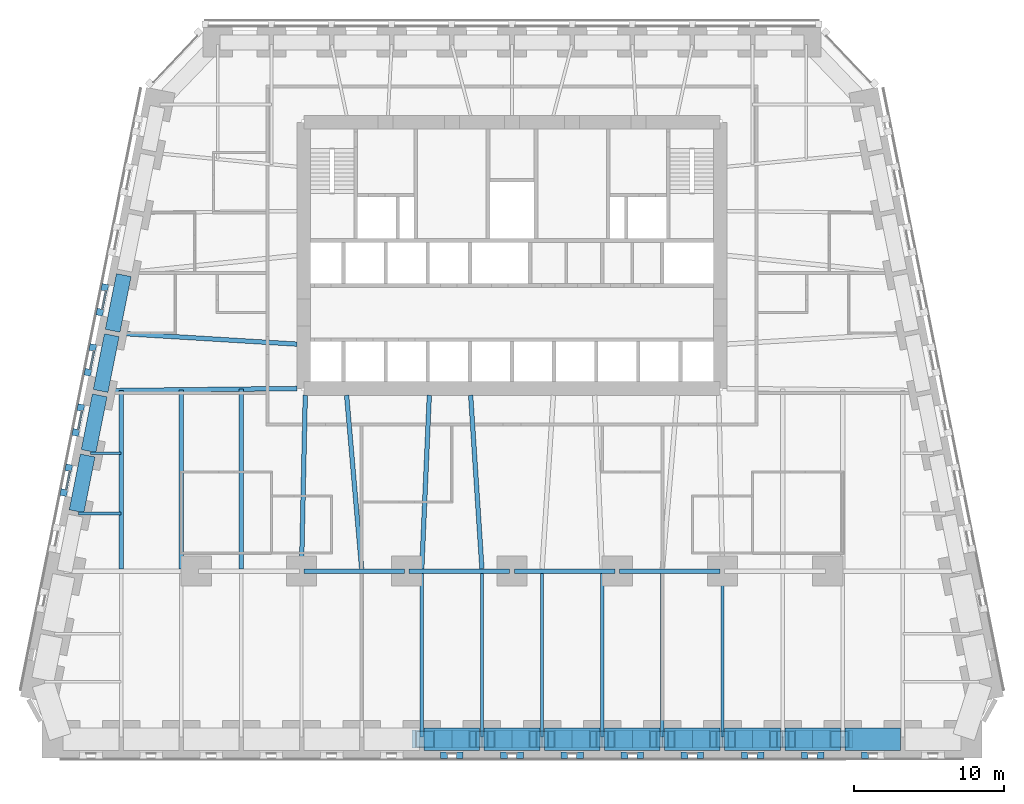
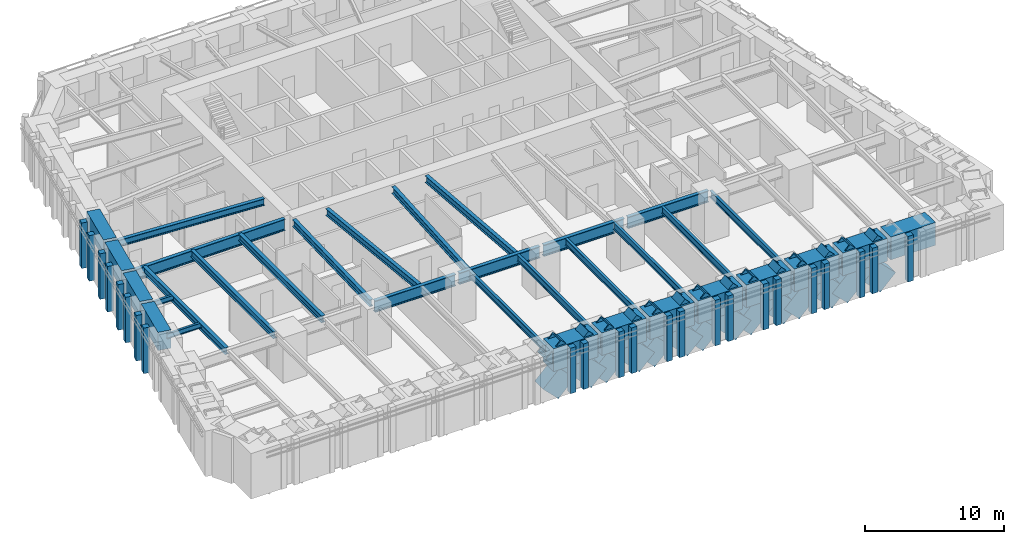
# One storey, part 2 of 16: 41 members, 33 beams, 12 elements without a shape of their own.
"""IFC4 building model written with IfcOpenShell, lengths in metres."""

from ifc_helpers import new_model, si_unit, direction, frame, origin, origin_2d, place, context, subcontext, project, spatial, rectangle, hollow_rectangle, i_section, extrude, material, material_profile, profile_set, type_object, element, aggregate, save


model = new_model("IFC4")

# Units and contexts
model_context = context("Model", 3, precision=1e-05, world=origin(), true_north=direction((0.0, 1.0)))
body_context = subcontext(model_context, "Body", "Model", "MODEL_VIEW")
ifc_project = project(units=[si_unit("LENGTHUNIT", "METRE"), si_unit("AREAUNIT", "SQUARE_METRE"), si_unit("VOLUMEUNIT", "CUBIC_METRE"), si_unit("PLANEANGLEUNIT", "RADIAN"), si_unit("MASSUNIT", "GRAM", prefix="KILO")], contexts=[model_context])

# Site, building, storey
site_placement = place(None, origin())
site = spatial("IfcSite", under=ifc_project, at=site_placement, CompositionType="ELEMENT")
building_placement = place(site_placement, origin())
building = spatial("IfcBuilding", under=site, at=building_placement, Name="Isbrekke Arena Tower", CompositionType="ELEMENT")
storey_placement = place(building_placement, frame((0.0, 0.0, 36.0)))
storey = spatial("IfcBuildingStorey", under=building, at=storey_placement, Name="L06", CompositionType="ELEMENT", Elevation=36.0)

# Beams
ifc_material_1 = material(Name="Steel S355", Category="steel")
ifc_material_profile_1 = material_profile(ifc_material_1, i_section(OverallWidth=0.219970703125, OverallDepth=0.60009765625, WebThickness=0.011962890625, FlangeThickness=0.01904296875, FilletRadius=0.02392578125, at=origin_2d()), Name="IPE 600")
ifc_profile_set_1 = profile_set([ifc_material_profile_1], Name="Steel S355")
beam_type_1 = type_object("IfcBeamType", Name="B1 IPE 600", PredefinedType="BEAM", material=ifc_profile_set_1)
for number, where, z_axis, x_axis, name in (
    (1, (-6.0, -17.02490234375, 3.550048828125), (0.0, 1.0, 0.0), (-1.0, 0.0, 0.0), "B1 beam S-S07 L06"),
    (2, (-2.0, -17.02490234375, 3.550048828125), (0.0, 1.0, 0.0), (-1.0, 0.0, 0.0), "B1 beam S-S08 L06"),
    (3, (2.0, -17.02490234375, 3.550048828125), (0.0, 1.0, 0.0), (-1.0, 0.0, 0.0), "B1 beam S-S09 L06"),
    (4, (6.0, -17.02490234375, 3.550048828125), (0.0, 1.0, 0.0), (-1.0, 0.0, 0.0), "B1 beam S-S10 L06"),
    (5, (10.0, -17.02490234375, 3.550048828125), (0.0, 1.0, 0.0), (-1.0, 0.0, 0.0), "B1 beam S-S11 L06"),
):
    element("IfcBeam", number, at=place(storey_placement, frame(where, z_axis=z_axis, x_axis=x_axis)), inside=storey, type_object=beam_type_1, Name=name, PredefinedType="BEAM", context=body_context, shape_type="SweptSolid", body=[
        extrude(i_section(OverallWidth=0.219970703125, OverallDepth=0.60009765625, WebThickness=0.011962890625, FlangeThickness=0.01904296875, FilletRadius=0.02392578125, at=origin_2d()), origin(), (0.0, 0.0, 1.0), 10.8740234375),
    ])
beam_1_placement = place(storey_placement, frame((14.0, -17.02490234375, 3.550048828125), z_axis=(0.0, 1.0, 0.0), x_axis=(-1.0, 0.0, 0.0)))
element("IfcBeam", 6, at=beam_1_placement, inside=storey, type_object=beam_type_1, Name="B1 beam S-S12 L06", PredefinedType="BEAM", context=body_context, shape_type="SweptSolid", body=[
    extrude(i_section(OverallWidth=0.219970703125, OverallDepth=0.60009765625, WebThickness=0.011962890625, FlangeThickness=0.01904296875, FilletRadius=0.02392578125, at=origin_2d()), origin(), (0.0, 0.0, 1.0), 10.875),
])
ifc_material_2 = material(Name="Steel S355", Category="steel")
ifc_material_profile_2 = material_profile(ifc_material_2, i_section(OverallWidth=0.18994140625, OverallDepth=0.449951171875, WebThickness=0.009521484375, FlangeThickness=0.0146484375, FilletRadius=0.02099609375, at=origin_2d()), Name="IPE 450")
ifc_profile_set_2 = profile_set([ifc_material_profile_2], Name="Steel S355")
beam_type_2 = type_object("IfcBeamType", Name="B2 IPE 450", PredefinedType="BEAM", material=ifc_profile_set_2)
beam_2_placement = place(storey_placement, frame((-28.041015625, 1.838134765625, 3.625), z_axis=(1.0, 0.0, 0.0), x_axis=(0.0, 1.0, 0.0)))
element("IfcBeam", 7, at=beam_2_placement, inside=storey, type_object=beam_type_2, Name="B2 beam E-W07 L06", PredefinedType="BEAM", context=body_context, shape_type="SweptSolid", body=[
    extrude(i_section(OverallWidth=0.18994140625, OverallDepth=0.449951171875, WebThickness=0.009521484375, FlangeThickness=0.0146484375, FilletRadius=0.02099609375, at=origin_2d()), origin(), (0.0, 0.0, 1.0), 2.041015625),
])
beam_3_placement = place(storey_placement, frame((-28.841064453125, -2.161865234375, 3.625), z_axis=(1.0, 0.0, 0.0), x_axis=(0.0, 1.0, 0.0)))
element("IfcBeam", 8, at=beam_3_placement, inside=storey, type_object=beam_type_2, Name="B2 beam E-W08 L06", PredefinedType="BEAM", context=body_context, shape_type="SweptSolid", body=[
    extrude(i_section(OverallWidth=0.18994140625, OverallDepth=0.449951171875, WebThickness=0.009521484375, FlangeThickness=0.0146484375, FilletRadius=0.02099609375, at=origin_2d()), origin(), (0.0, 0.0, 1.0), 2.841064453125),
])
ifc_material_3 = material(Name="Steel S355", Category="steel")
ifc_material_profile_3 = material_profile(ifc_material_3, i_section(OverallWidth=0.300048828125, OverallDepth=0.60009765625, WebThickness=0.015380859375, FlangeThickness=0.030029296875, FilletRadius=0.027099609375, at=origin_2d()), Name="HEB 600")
ifc_profile_set_3 = profile_set([ifc_material_profile_3], Name="Steel S355")
beam_type_3 = type_object("IfcBeamType", Name="B7 HEB 600", PredefinedType="BEAM", material=ifc_profile_set_3)
beam_4_placement = place(storey_placement, frame((-26.0, -5.84912109375, 3.550048828125), z_axis=(0.0, 1.0, 0.0), x_axis=(-1.0, 0.0, 0.0)))
element("IfcBeam", 9, at=beam_4_placement, inside=storey, type_object=beam_type_3, Name="B7 beam C-M01 L06", PredefinedType="BEAM", context=body_context, shape_type="SweptSolid", body=[
    extrude(i_section(OverallWidth=0.300048828125, OverallDepth=0.60009765625, WebThickness=0.015380859375, FlangeThickness=0.030029296875, FilletRadius=0.027099609375, at=origin_2d()), origin(), (0.0, 0.0, 1.0), 11.864990234375),
])
beam_5_placement = place(storey_placement, frame((-22.0, -5.84912109375, 3.550048828125), z_axis=(0.0, 1.0, 0.0), x_axis=(-1.0, 0.0, 0.0)))
element("IfcBeam", 10, at=beam_5_placement, inside=storey, type_object=beam_type_3, Name="B7 beam C-M02 L06", PredefinedType="BEAM", context=body_context, shape_type="SweptSolid", body=[
    extrude(i_section(OverallWidth=0.300048828125, OverallDepth=0.60009765625, WebThickness=0.015380859375, FlangeThickness=0.030029296875, FilletRadius=0.027099609375, at=origin_2d()), origin(), (0.0, 0.0, 1.0), 11.910888671875),
])
beam_6_placement = place(storey_placement, frame((-18.0, -5.84912109375, 3.550048828125), z_axis=(0.0, 1.0, 0.0), x_axis=(-1.0, 0.0, 0.0)))
element("IfcBeam", 11, at=beam_6_placement, inside=storey, type_object=beam_type_3, Name="B7 beam C-M03 L06", PredefinedType="BEAM", context=body_context, shape_type="SweptSolid", body=[
    extrude(i_section(OverallWidth=0.300048828125, OverallDepth=0.60009765625, WebThickness=0.015380859375, FlangeThickness=0.030029296875, FilletRadius=0.027099609375, at=origin_2d()), origin(), (0.0, 0.0, 1.0), 11.956787109375),
])
beam_7_placement = place(storey_placement, frame((-14.0, -5.8466796875, 3.550048828125), z_axis=(0.021646264273, 0.999765692171, 0.0), x_axis=(-0.999765692171, 0.021646264273, 0.0)))
element("IfcBeam", 12, at=beam_7_placement, inside=storey, type_object=beam_type_3, Name="B7 beam C-M04 L06", PredefinedType="BEAM", context=body_context, shape_type="SweptSolid", body=[
    extrude(i_section(OverallWidth=0.300048828125, OverallDepth=0.60009765625, WebThickness=0.015380859375, FlangeThickness=0.030029296875, FilletRadius=0.027099609375, at=origin_2d()), origin(), (0.0, 0.0, 1.0), 11.54931640625),
])
beam_8_placement = place(storey_placement, frame((-10.001220703125, -5.836181640625, 3.550048828125), z_axis=(-0.086255671377, 0.996273034442, 0.0), x_axis=(-0.996273034442, -0.086255671377, 0.0)))
element("IfcBeam", 13, at=beam_8_placement, inside=storey, type_object=beam_type_3, Name="B7 beam C-M05 L06", PredefinedType="BEAM", context=body_context, shape_type="SweptSolid", body=[
    extrude(i_section(OverallWidth=0.300048828125, OverallDepth=0.60009765625, WebThickness=0.015380859375, FlangeThickness=0.030029296875, FilletRadius=0.027099609375, at=origin_2d()), origin(), (0.0, 0.0, 1.0), 11.579345703125),
])
beam_9_placement = place(storey_placement, frame((-5.999755859375, -5.842529296875, 3.550048828125), z_axis=(0.04325656756, 0.99906399663, 0.0), x_axis=(-0.99906399663, 0.04325656756, 0.0)))
element("IfcBeam", 14, at=beam_9_placement, inside=storey, type_object=beam_type_3, Name="B7 beam C-M06 L06", PredefinedType="BEAM", context=body_context, shape_type="SweptSolid", body=[
    extrude(i_section(OverallWidth=0.300048828125, OverallDepth=0.60009765625, WebThickness=0.015380859375, FlangeThickness=0.030029296875, FilletRadius=0.027099609375, at=origin_2d()), origin(), (0.0, 0.0, 1.0), 11.55322265625),
])
beam_10_placement = place(storey_placement, frame((-2.000732421875, -5.83935546875, 3.550048828125), z_axis=(-0.064795318476, 0.997898575359, 0.0), x_axis=(-0.997898575359, -0.064795318476, 0.0)))
element("IfcBeam", 15, at=beam_10_placement, inside=storey, type_object=beam_type_3, Name="B7 beam C-M07 L06", PredefinedType="BEAM", context=body_context, shape_type="SweptSolid", body=[
    extrude(i_section(OverallWidth=0.300048828125, OverallDepth=0.60009765625, WebThickness=0.015380859375, FlangeThickness=0.030029296875, FilletRadius=0.027099609375, at=origin_2d()), origin(), (0.0, 0.0, 1.0), 11.563720703125),
])
beam_11_placement = place(storey_placement, frame((-26.431884765625, 9.837646484375, 3.550048828125), z_axis=(0.998157121592, -0.060682457223, 0.0), x_axis=(0.060682457223, 0.998157121592, 0.0)))
element("IfcBeam", 16, at=beam_11_placement, inside=storey, type_object=beam_type_3, Name="B7 beam E-W05 L06", PredefinedType="BEAM", context=body_context, shape_type="SweptSolid", body=[
    extrude(i_section(OverallWidth=0.300048828125, OverallDepth=0.60009765625, WebThickness=0.015380859375, FlangeThickness=0.030029296875, FilletRadius=0.027099609375, at=origin_2d()), origin(), (0.0, 0.0, 1.0), 12.154296875),
])

# Curtain wall, members
ifc_material_4 = material(Name="Glazed aluminium curtain wall", Category="aluminium")
curtain_wall_type = type_object("IfcCurtainWallType", Name="CWL TOWER CURTAIN WALL LOW ZONE", PredefinedType="USERDEFINED", material=ifc_material_4)
curtain_wall_1_placement = place(storey_placement, origin())
curtain_wall_1 = element("IfcCurtainWall", 17, at=curtain_wall_1_placement, inside=storey, type_object=curtain_wall_type, Name="CWL curtain wall L06-S13", ObjectType="TOWER CURTAIN WALL LOW ZONE", PredefinedType="USERDEFINED")
ifc_material_5 = material(Name="Aluminium mullion, pale brick slip cladding", Category="masonry")
ifc_material_profile_4 = material_profile(ifc_material_5, rectangle(XDim=0.449951171875, YDim=0.449951171875, at=origin_2d()), Name="PIER 450X450")
ifc_profile_set_4 = profile_set([ifc_material_profile_4], Name="Aluminium mullion, pale brick slip cladding")
member_type_1 = type_object("IfcMemberType", Name="CWL-M PIER MULLION 450 x 450", PredefinedType="MULLION", material=ifc_profile_set_4)
member_1_placement = place(storey_placement, frame((-4.52490234375, -18.25, 0.0), z_axis=(0.0, 0.0, 1.0), x_axis=(1.0, 0.0, 0.0)))
member_1 = element("IfcMember", 18, at=member_1_placement, type_object=member_type_1, Name="CWL-M mullion 1", PredefinedType="MULLION", context=body_context, shape_type="SweptSolid", body=[
    extrude(rectangle(XDim=0.449951171875, YDim=0.449951171875, at=origin_2d()), origin(), (0.0, 0.0, 1.0), 4.0),
])
member_2_placement = place(storey_placement, frame((-3.47509765625, -18.25, 0.0), z_axis=(0.0, 0.0, 1.0), x_axis=(1.0, 0.0, 0.0)))
member_2 = element("IfcMember", 19, at=member_2_placement, type_object=member_type_1, Name="CWL-M mullion 2", PredefinedType="MULLION", context=body_context, shape_type="SweptSolid", body=[
    extrude(rectangle(XDim=0.449951171875, YDim=0.449951171875, at=origin_2d()), origin(), (0.0, 0.0, 1.0), 4.0),
])
aggregate(curtain_wall_1, [member_1, member_2])

curtain_wall_2_placement = place(storey_placement, origin())
curtain_wall_2 = element("IfcCurtainWall", 20, at=curtain_wall_2_placement, inside=storey, type_object=curtain_wall_type, Name="CWL curtain wall L06-S15", ObjectType="TOWER CURTAIN WALL LOW ZONE", PredefinedType="USERDEFINED")
member_3_placement = place(storey_placement, frame((-0.52490234375, -18.25, 0.0), z_axis=(0.0, 0.0, 1.0), x_axis=(1.0, 0.0, 0.0)))
member_3 = element("IfcMember", 21, at=member_3_placement, type_object=member_type_1, Name="CWL-M mullion 1", PredefinedType="MULLION", context=body_context, shape_type="SweptSolid", body=[
    extrude(rectangle(XDim=0.449951171875, YDim=0.449951171875, at=origin_2d()), origin(), (0.0, 0.0, 1.0), 4.0),
])
member_4_placement = place(storey_placement, frame((0.52490234375, -18.25, 0.0), z_axis=(0.0, 0.0, 1.0), x_axis=(1.0, 0.0, 0.0)))
member_4 = element("IfcMember", 22, at=member_4_placement, type_object=member_type_1, Name="CWL-M mullion 2", PredefinedType="MULLION", context=body_context, shape_type="SweptSolid", body=[
    extrude(rectangle(XDim=0.449951171875, YDim=0.449951171875, at=origin_2d()), origin(), (0.0, 0.0, 1.0), 4.0),
])
aggregate(curtain_wall_2, [member_3, member_4])

curtain_wall_3_placement = place(storey_placement, origin())
curtain_wall_3 = element("IfcCurtainWall", 23, at=curtain_wall_3_placement, inside=storey, type_object=curtain_wall_type, Name="CWL curtain wall L06-S17", ObjectType="TOWER CURTAIN WALL LOW ZONE", PredefinedType="USERDEFINED")
member_5_placement = place(storey_placement, frame((3.47509765625, -18.25, 0.0), z_axis=(0.0, 0.0, 1.0), x_axis=(1.0, 0.0, 0.0)))
member_5 = element("IfcMember", 24, at=member_5_placement, type_object=member_type_1, Name="CWL-M mullion 1", PredefinedType="MULLION", context=body_context, shape_type="SweptSolid", body=[
    extrude(rectangle(XDim=0.449951171875, YDim=0.449951171875, at=origin_2d()), origin(), (0.0, 0.0, 1.0), 4.0),
])
member_6_placement = place(storey_placement, frame((4.52490234375, -18.25, 0.0), z_axis=(0.0, 0.0, 1.0), x_axis=(1.0, 0.0, 0.0)))
member_6 = element("IfcMember", 25, at=member_6_placement, type_object=member_type_1, Name="CWL-M mullion 2", PredefinedType="MULLION", context=body_context, shape_type="SweptSolid", body=[
    extrude(rectangle(XDim=0.449951171875, YDim=0.449951171875, at=origin_2d()), origin(), (0.0, 0.0, 1.0), 4.0),
])
aggregate(curtain_wall_3, [member_5, member_6])

curtain_wall_4_placement = place(storey_placement, origin())
curtain_wall_4 = element("IfcCurtainWall", 26, at=curtain_wall_4_placement, inside=storey, type_object=curtain_wall_type, Name="CWL curtain wall L06-S19", ObjectType="TOWER CURTAIN WALL LOW ZONE", PredefinedType="USERDEFINED")
member_7_placement = place(storey_placement, frame((7.47509765625, -18.25, 0.0), z_axis=(0.0, 0.0, 1.0), x_axis=(1.0, 0.0, 0.0)))
member_7 = element("IfcMember", 27, at=member_7_placement, type_object=member_type_1, Name="CWL-M mullion 1", PredefinedType="MULLION", context=body_context, shape_type="SweptSolid", body=[
    extrude(rectangle(XDim=0.449951171875, YDim=0.449951171875, at=origin_2d()), origin(), (0.0, 0.0, 1.0), 4.0),
])
member_8_placement = place(storey_placement, frame((8.52490234375, -18.25, 0.0), z_axis=(0.0, 0.0, 1.0), x_axis=(1.0, 0.0, 0.0)))
member_8 = element("IfcMember", 28, at=member_8_placement, type_object=member_type_1, Name="CWL-M mullion 2", PredefinedType="MULLION", context=body_context, shape_type="SweptSolid", body=[
    extrude(rectangle(XDim=0.449951171875, YDim=0.449951171875, at=origin_2d()), origin(), (0.0, 0.0, 1.0), 4.0),
])
aggregate(curtain_wall_4, [member_7, member_8])

curtain_wall_5_placement = place(storey_placement, origin())
curtain_wall_5 = element("IfcCurtainWall", 29, at=curtain_wall_5_placement, inside=storey, type_object=curtain_wall_type, Name="CWL curtain wall L06-S21", ObjectType="TOWER CURTAIN WALL LOW ZONE", PredefinedType="USERDEFINED")
member_9_placement = place(storey_placement, frame((11.47509765625, -18.25, 0.0), z_axis=(0.0, 0.0, 1.0), x_axis=(1.0, 0.0, 0.0)))
member_9 = element("IfcMember", 30, at=member_9_placement, type_object=member_type_1, Name="CWL-M mullion 1", PredefinedType="MULLION", context=body_context, shape_type="SweptSolid", body=[
    extrude(rectangle(XDim=0.449951171875, YDim=0.449951171875, at=origin_2d()), origin(), (0.0, 0.0, 1.0), 4.0),
])
member_10_placement = place(storey_placement, frame((12.52490234375, -18.25, 0.0), z_axis=(0.0, 0.0, 1.0), x_axis=(1.0, 0.0, 0.0)))
member_10 = element("IfcMember", 31, at=member_10_placement, type_object=member_type_1, Name="CWL-M mullion 2", PredefinedType="MULLION", context=body_context, shape_type="SweptSolid", body=[
    extrude(rectangle(XDim=0.449951171875, YDim=0.449951171875, at=origin_2d()), origin(), (0.0, 0.0, 1.0), 4.0),
])
aggregate(curtain_wall_5, [member_9, member_10])

curtain_wall_6_placement = place(storey_placement, origin())
curtain_wall_6 = element("IfcCurtainWall", 32, at=curtain_wall_6_placement, inside=storey, type_object=curtain_wall_type, Name="CWL curtain wall L06-S23", ObjectType="TOWER CURTAIN WALL LOW ZONE", PredefinedType="USERDEFINED")
member_11_placement = place(storey_placement, frame((15.47509765625, -18.25, 0.0), z_axis=(0.0, 0.0, 1.0), x_axis=(1.0, 0.0, 0.0)))
member_11 = element("IfcMember", 33, at=member_11_placement, type_object=member_type_1, Name="CWL-M mullion 1", PredefinedType="MULLION", context=body_context, shape_type="SweptSolid", body=[
    extrude(rectangle(XDim=0.449951171875, YDim=0.449951171875, at=origin_2d()), origin(), (0.0, 0.0, 1.0), 4.0),
])
member_12_placement = place(storey_placement, frame((16.52490234375, -18.25, 0.0), z_axis=(0.0, 0.0, 1.0), x_axis=(1.0, 0.0, 0.0)))
member_12 = element("IfcMember", 34, at=member_12_placement, type_object=member_type_1, Name="CWL-M mullion 2", PredefinedType="MULLION", context=body_context, shape_type="SweptSolid", body=[
    extrude(rectangle(XDim=0.449951171875, YDim=0.449951171875, at=origin_2d()), origin(), (0.0, 0.0, 1.0), 4.0),
])
aggregate(curtain_wall_6, [member_11, member_12])

curtain_wall_7_placement = place(storey_placement, origin())
curtain_wall_7 = element("IfcCurtainWall", 35, at=curtain_wall_7_placement, inside=storey, type_object=curtain_wall_type, Name="CWL curtain wall L06-S25", ObjectType="TOWER CURTAIN WALL LOW ZONE", PredefinedType="USERDEFINED")
member_13_placement = place(storey_placement, frame((19.47509765625, -18.25, 0.0), z_axis=(0.0, 0.0, 1.0), x_axis=(1.0, 0.0, 0.0)))
member_13 = element("IfcMember", 36, at=member_13_placement, type_object=member_type_1, Name="CWL-M mullion 1", PredefinedType="MULLION", context=body_context, shape_type="SweptSolid", body=[
    extrude(rectangle(XDim=0.449951171875, YDim=0.449951171875, at=origin_2d()), origin(), (0.0, 0.0, 1.0), 4.0),
])
member_14_placement = place(storey_placement, frame((20.52490234375, -18.25, 0.0), z_axis=(0.0, 0.0, 1.0), x_axis=(1.0, 0.0, 0.0)))
member_14 = element("IfcMember", 37, at=member_14_placement, type_object=member_type_1, Name="CWL-M mullion 2", PredefinedType="MULLION", context=body_context, shape_type="SweptSolid", body=[
    extrude(rectangle(XDim=0.449951171875, YDim=0.449951171875, at=origin_2d()), origin(), (0.0, 0.0, 1.0), 4.0),
])
aggregate(curtain_wall_7, [member_13, member_14])

# Curtain wall, member
curtain_wall_8_placement = place(storey_placement, origin())
curtain_wall_8 = element("IfcCurtainWall", 38, at=curtain_wall_8_placement, inside=storey, type_object=curtain_wall_type, Name="CWL curtain wall L06-S27", ObjectType="TOWER CURTAIN WALL LOW ZONE", PredefinedType="USERDEFINED")
member_15_placement = place(storey_placement, frame((23.47509765625, -18.25, 0.0), z_axis=(0.0, 0.0, 1.0), x_axis=(1.0, 0.0, 0.0)))
member_15 = element("IfcMember", 39, at=member_15_placement, type_object=member_type_1, Name="CWL-M mullion 1", PredefinedType="MULLION", context=body_context, shape_type="SweptSolid", body=[
    extrude(rectangle(XDim=0.449951171875, YDim=0.449951171875, at=origin_2d()), origin(), (0.0, 0.0, 1.0), 4.0),
])
aggregate(curtain_wall_8, [member_15])

# Curtain wall, members
curtain_wall_9_placement = place(storey_placement, origin())
curtain_wall_9 = element("IfcCurtainWall", 40, at=curtain_wall_9_placement, inside=storey, type_object=curtain_wall_type, Name="CWL curtain wall L06-W7", ObjectType="TOWER CURTAIN WALL LOW ZONE", PredefinedType="USERDEFINED")
member_16_placement = place(storey_placement, frame((-27.08056640625, 12.872314453125, 0.0), z_axis=(0.0, 0.0, 1.0), x_axis=(-0.196116135138, -0.980580675691, 0.0)))
member_16 = element("IfcMember", 41, at=member_16_placement, type_object=member_type_1, Name="CWL-M mullion 1", PredefinedType="MULLION", context=body_context, shape_type="SweptSolid", body=[
    extrude(rectangle(XDim=0.449951171875, YDim=0.449951171875, at=origin_2d()), origin(), (0.0, 0.0, 1.0), 4.0),
])
member_17_placement = place(storey_placement, frame((-27.409912109375, 11.225830078125, 0.0), z_axis=(0.0, 0.0, 1.0), x_axis=(-0.196116135138, -0.980580675691, 0.0)))
member_17 = element("IfcMember", 42, at=member_17_placement, type_object=member_type_1, Name="CWL-M mullion 2", PredefinedType="MULLION", context=body_context, shape_type="SweptSolid", body=[
    extrude(rectangle(XDim=0.449951171875, YDim=0.449951171875, at=origin_2d()), origin(), (0.0, 0.0, 1.0), 4.0),
])

curtain_wall_10_placement = place(storey_placement, origin())
curtain_wall_10 = element("IfcCurtainWall", 43, at=curtain_wall_10_placement, inside=storey, type_object=curtain_wall_type, Name="CWL curtain wall L06-W9", ObjectType="TOWER CURTAIN WALL LOW ZONE", PredefinedType="USERDEFINED")
member_18_placement = place(storey_placement, frame((-27.88037109375, 8.872314453125, 0.0), z_axis=(0.0, 0.0, 1.0), x_axis=(-0.196116135138, -0.980580675691, 0.0)))
member_18 = element("IfcMember", 44, at=member_18_placement, type_object=member_type_1, Name="CWL-M mullion 1", PredefinedType="MULLION", context=body_context, shape_type="SweptSolid", body=[
    extrude(rectangle(XDim=0.449951171875, YDim=0.449951171875, at=origin_2d()), origin(), (0.0, 0.0, 1.0), 4.0),
])
member_19_placement = place(storey_placement, frame((-28.209716796875, 7.225830078125, 0.0), z_axis=(0.0, 0.0, 1.0), x_axis=(-0.196116135138, -0.980580675691, 0.0)))
member_19 = element("IfcMember", 45, at=member_19_placement, type_object=member_type_1, Name="CWL-M mullion 2", PredefinedType="MULLION", context=body_context, shape_type="SweptSolid", body=[
    extrude(rectangle(XDim=0.449951171875, YDim=0.449951171875, at=origin_2d()), origin(), (0.0, 0.0, 1.0), 4.0),
])

curtain_wall_11_placement = place(storey_placement, origin())
curtain_wall_11 = element("IfcCurtainWall", 46, at=curtain_wall_11_placement, inside=storey, type_object=curtain_wall_type, Name="CWL curtain wall L06-W11", ObjectType="TOWER CURTAIN WALL LOW ZONE", PredefinedType="USERDEFINED")
member_20_placement = place(storey_placement, frame((-28.680419921875, 4.872314453125, 0.0), z_axis=(0.0, 0.0, 1.0), x_axis=(-0.196116135138, -0.980580675691, 0.0)))
member_20 = element("IfcMember", 47, at=member_20_placement, type_object=member_type_1, Name="CWL-M mullion 1", PredefinedType="MULLION", context=body_context, shape_type="SweptSolid", body=[
    extrude(rectangle(XDim=0.449951171875, YDim=0.449951171875, at=origin_2d()), origin(), (0.0, 0.0, 1.0), 4.0),
])
member_21_placement = place(storey_placement, frame((-29.009765625, 3.225830078125, 0.0), z_axis=(0.0, 0.0, 1.0), x_axis=(-0.196116135138, -0.980580675691, 0.0)))
member_21 = element("IfcMember", 48, at=member_21_placement, type_object=member_type_1, Name="CWL-M mullion 2", PredefinedType="MULLION", context=body_context, shape_type="SweptSolid", body=[
    extrude(rectangle(XDim=0.449951171875, YDim=0.449951171875, at=origin_2d()), origin(), (0.0, 0.0, 1.0), 4.0),
])

curtain_wall_12_placement = place(storey_placement, origin())
curtain_wall_12 = element("IfcCurtainWall", 49, at=curtain_wall_12_placement, inside=storey, type_object=curtain_wall_type, Name="CWL curtain wall L06-W13", ObjectType="TOWER CURTAIN WALL LOW ZONE", PredefinedType="USERDEFINED")
member_22_placement = place(storey_placement, frame((-29.48046875, 0.872314453125, 0.0), z_axis=(0.0, 0.0, 1.0), x_axis=(-0.196116135138, -0.980580675691, 0.0)))
member_22 = element("IfcMember", 50, at=member_22_placement, type_object=member_type_1, Name="CWL-M mullion 1", PredefinedType="MULLION", context=body_context, shape_type="SweptSolid", body=[
    extrude(rectangle(XDim=0.449951171875, YDim=0.449951171875, at=origin_2d()), origin(), (0.0, 0.0, 1.0), 4.0),
])
member_23_placement = place(storey_placement, frame((-29.809814453125, -0.774169921875, 0.0), z_axis=(0.0, 0.0, 1.0), x_axis=(-0.196116135138, -0.980580675691, 0.0)))
member_23 = element("IfcMember", 51, at=member_23_placement, type_object=member_type_1, Name="CWL-M mullion 2", PredefinedType="MULLION", context=body_context, shape_type="SweptSolid", body=[
    extrude(rectangle(XDim=0.449951171875, YDim=0.449951171875, at=origin_2d()), origin(), (0.0, 0.0, 1.0), 4.0),
])

# Member
ifc_material_6 = material(Name="Aluminium transom", Category="aluminium")
ifc_material_profile_5 = material_profile(ifc_material_6, rectangle(XDim=0.1201171875, YDim=0.199951171875, at=origin_2d()), Name="TRANSOM 120X200")
ifc_profile_set_5 = profile_set([ifc_material_profile_5], Name="Aluminium transom")
member_type_2 = type_object("IfcMemberType", Name="CWL-T TRANSOM 120 x 200", PredefinedType="USERDEFINED", material=ifc_profile_set_5)
member_24_placement = place(storey_placement, frame((-27.001953125, 12.627197265625, 3.0), z_axis=(-0.19623071885, -0.980557751986, 0.0), x_axis=(0.980557751986, -0.19623071885, 0.0)))
member_24 = element("IfcMember", 52, at=member_24_placement, type_object=member_type_2, Name="CWL-T transom 1", ObjectType="TRANSOM", PredefinedType="USERDEFINED", context=body_context, shape_type="SweptSolid", body=[
    extrude(rectangle(XDim=0.1201171875, YDim=0.199951171875, at=origin_2d()), origin(), (0.0, 0.0, 1.0), 1.229248046875),
])

aggregate(curtain_wall_9, [member_16, member_17, member_24])

member_25_placement = place(storey_placement, frame((-27.802001953125, 8.627197265625, 3.0), z_axis=(-0.19623071885, -0.980557751986, 0.0), x_axis=(0.980557751986, -0.19623071885, 0.0)))
member_25 = element("IfcMember", 53, at=member_25_placement, type_object=member_type_2, Name="CWL-T transom 1", ObjectType="TRANSOM", PredefinedType="USERDEFINED", context=body_context, shape_type="SweptSolid", body=[
    extrude(rectangle(XDim=0.1201171875, YDim=0.199951171875, at=origin_2d()), origin(), (0.0, 0.0, 1.0), 1.229248046875),
])

aggregate(curtain_wall_10, [member_18, member_19, member_25])

member_26_placement = place(storey_placement, frame((-28.60205078125, 4.627197265625, 3.0), z_axis=(-0.196039741533, -0.980595951317, 0.0), x_axis=(0.980595951317, -0.196039741533, 0.0)))
member_26 = element("IfcMember", 54, at=member_26_placement, type_object=member_type_2, Name="CWL-T transom 1", ObjectType="TRANSOM", PredefinedType="USERDEFINED", context=body_context, shape_type="SweptSolid", body=[
    extrude(rectangle(XDim=0.1201171875, YDim=0.199951171875, at=origin_2d()), origin(), (0.0, 0.0, 1.0), 1.229248046875),
])

aggregate(curtain_wall_11, [member_20, member_21, member_26])

member_27_placement = place(storey_placement, frame((-29.402099609375, 0.627197265625, 3.0), z_axis=(-0.196039741533, -0.980595951317, 0.0), x_axis=(0.980595951317, -0.196039741533, 0.0)))
member_27 = element("IfcMember", 55, at=member_27_placement, type_object=member_type_2, Name="CWL-T transom 1", ObjectType="TRANSOM", PredefinedType="USERDEFINED", context=body_context, shape_type="SweptSolid", body=[
    extrude(rectangle(XDim=0.1201171875, YDim=0.199951171875, at=origin_2d()), origin(), (0.0, 0.0, 1.0), 1.229248046875),
])

aggregate(curtain_wall_12, [member_22, member_23, member_27])

# Beams
ifc_material_7 = material(Name="Steel S355", Category="steel")
ifc_material_profile_6 = material_profile(ifc_material_7, i_section(OverallWidth=0.302001953125, OverallDepth=1.008056640625, WebThickness=0.02099609375, FlangeThickness=0.0400390625, FilletRadius=0.030029296875, at=origin_2d()), Name="HEM 1000")
ifc_profile_set_6 = profile_set([ifc_material_profile_6], Name="Steel S355")
beam_type_4 = type_object("IfcBeamType", Name="G1 HEM 1000", PredefinedType="BEAM", material=ifc_profile_set_6)
for number, where, z_axis, x_axis, name in (
    (56, (-13.85009765625, -6.0, 3.345947265625), (1.0, 0.0, 0.0), (0.0, 1.0, 0.0), "G1 beam G1-03 L06"),
    (57, (-6.85009765625, -6.0, 3.345947265625), (1.0, 0.0, 0.0), (0.0, 1.0, 0.0), "G1 beam G1-04 L06"),
    (58, (0.14990234375, -6.0, 3.345947265625), (1.0, 0.0, 0.0), (0.0, 1.0, 0.0), "G1 beam G1-05 L06"),
    (59, (7.14990234375, -6.0, 3.345947265625), (1.0, 0.0, 0.0), (0.0, 1.0, 0.0), "G1 beam G1-06 L06"),
):
    element("IfcBeam", number, at=place(storey_placement, frame(where, z_axis=z_axis, x_axis=x_axis)), inside=storey, type_object=beam_type_4, Name=name, PredefinedType="BEAM", context=body_context, shape_type="SweptSolid", body=[
        extrude(i_section(OverallWidth=0.302001953125, OverallDepth=1.008056640625, WebThickness=0.02099609375, FlangeThickness=0.0400390625, FilletRadius=0.030029296875, at=origin_2d()), origin(), (0.0, 0.0, 1.0), 6.7001953125),
    ])
ifc_material_8 = material(Name="Steel S355", Category="steel")
ifc_material_profile_7 = material_profile(ifc_material_8, i_section(OverallWidth=0.302001953125, OverallDepth=1.008056640625, WebThickness=0.02099609375, FlangeThickness=0.0400390625, FilletRadius=0.030029296875, at=origin_2d()), Name="HEM 1000")
ifc_profile_set_7 = profile_set([ifc_material_profile_7], Name="Steel S355")
beam_type_5 = type_object("IfcBeamType", Name="G2 HEM 1000", PredefinedType="BEAM", material=ifc_profile_set_7)
beam_12_placement = place(storey_placement, frame((-14.300048828125, 6.14990234375, 3.345947265625), z_axis=(-0.999934429634, -0.011451481699, 0.0), x_axis=(0.011451481699, -0.999934429634, 0.0)))
element("IfcBeam", 60, at=beam_12_placement, inside=storey, type_object=beam_type_5, Name="G2 beam G2-W L06", PredefinedType="BEAM", context=body_context, shape_type="SweptSolid", body=[
    extrude(i_section(OverallWidth=0.302001953125, OverallDepth=1.008056640625, WebThickness=0.02099609375, FlangeThickness=0.0400390625, FilletRadius=0.030029296875, at=origin_2d()), origin(), (0.0, 0.0, 1.0), 13.09033203125),
])
ifc_material_9 = material(Name="Concrete B90 (C90/105)", Category="concrete")
ifc_material_profile_8 = material_profile(ifc_material_9, rectangle(XDim=1.0, YDim=1.60009765625, at=origin_2d()), Name="RC 1000x1600")
ifc_profile_set_8 = profile_set([ifc_material_profile_8], Name="Concrete B90 (C90/105)")
beam_type_6 = type_object("IfcBeamType", Name="SB1 RC 1000 x 1600", PredefinedType="SPANDREL", material=ifc_profile_set_8)
beam_13_placement = place(storey_placement, frame((-25.820556640625, 13.691162109375, 3.199951171875), z_axis=(-0.1960664412, -0.980590613169, 0.0), x_axis=(0.980590613169, -0.1960664412, 0.0)))
element("IfcBeam", 61, at=beam_13_placement, inside=storey, type_object=beam_type_6, Name="SB1 spandrel W04-W05 L06", PredefinedType="SPANDREL", context=body_context, shape_type="SweptSolid", body=[
    extrude(rectangle(XDim=1.0, YDim=1.60009765625, at=origin_2d()), origin(), (0.0, 0.0, 1.0), 3.779052734375),
])
for number, where, z_axis, x_axis, name in (
    (62, (-26.620361328125, 9.691162109375, 3.199951171875), (-0.196128558387, -0.980578190959, 0.0), (0.980578190959, -0.196128558387, 0.0), "SB1 spandrel W05-W06 L06"),
    (63, (-27.42041015625, 5.691162109375, 3.199951171875), (-0.196128558387, -0.980578190959, 0.0), (0.980578190959, -0.196128558387, 0.0), "SB1 spandrel W06-W07 L06"),
    (64, (-28.220458984375, 1.691162109375, 3.199951171875), (-0.196128558387, -0.980578190959, 0.0), (0.980578190959, -0.196128558387, 0.0), "SB1 spandrel W07-W08 L06"),
):
    element("IfcBeam", number, at=place(storey_placement, frame(where, z_axis=z_axis, x_axis=x_axis)), inside=storey, type_object=beam_type_6, Name=name, PredefinedType="SPANDREL", context=body_context, shape_type="SweptSolid", body=[
        extrude(rectangle(XDim=1.0, YDim=1.60009765625, at=origin_2d()), origin(), (0.0, 0.0, 1.0), 3.779296875),
    ])
ifc_material_10 = material(Name="Concrete B90 (C90/105)", Category="concrete")
ifc_material_profile_9 = material_profile(ifc_material_10, rectangle(XDim=1.5, YDim=2.0, at=origin_2d()), Name="RC 1500x2000")
ifc_profile_set_9 = profile_set([ifc_material_profile_9], Name="Concrete B90 (C90/105)")
beam_type_7 = type_object("IfcBeamType", Name="SB6 RC 1500 x 2000", PredefinedType="SPANDREL", material=ifc_profile_set_9)
for number, where, z_axis, x_axis, name in (
    (65, (-5.85009765625, -17.175048828125, 3.0), (1.0, 0.0, 0.0), (0.0, 1.0, 0.0), "SB6 spandrel S07-S08 L06"),
    (66, (-1.85009765625, -17.175048828125, 3.0), (1.0, 0.0, 0.0), (0.0, 1.0, 0.0), "SB6 spandrel S08-S09 L06"),
    (67, (2.14990234375, -17.175048828125, 3.0), (1.0, 0.0, 0.0), (0.0, 1.0, 0.0), "SB6 spandrel S09-S10 L06"),
    (68, (6.14990234375, -17.175048828125, 3.0), (1.0, 0.0, 0.0), (0.0, 1.0, 0.0), "SB6 spandrel S10-S11 L06"),
    (69, (10.14990234375, -17.175048828125, 3.0), (1.0, 0.0, 0.0), (0.0, 1.0, 0.0), "SB6 spandrel S11-S12 L06"),
    (70, (14.14990234375, -17.175048828125, 3.0), (1.0, 0.0, 0.0), (0.0, 1.0, 0.0), "SB6 spandrel S12-S13 L06"),
    (71, (18.14990234375, -17.175048828125, 3.0), (1.0, 0.0, 0.0), (0.0, 1.0, 0.0), "SB6 spandrel S13-S14 L06"),
    (72, (22.14990234375, -17.175048828125, 3.0), (1.0, 0.0, 0.0), (0.0, 1.0, 0.0), "SB6 spandrel S14-S15 L06"),
):
    element("IfcBeam", number, at=place(storey_placement, frame(where, z_axis=z_axis, x_axis=x_axis)), inside=storey, type_object=beam_type_7, Name=name, PredefinedType="SPANDREL", context=body_context, shape_type="SweptSolid", body=[
        extrude(rectangle(XDim=1.5, YDim=2.0, at=origin_2d()), origin(), (0.0, 0.0, 1.0), 3.7001953125),
    ])

# Members
ifc_material_11 = material(Name="Steel S460", Category="steel")
ifc_material_profile_10 = material_profile(ifc_material_11, hollow_rectangle(XDim=1.199951171875, YDim=1.800048828125, WallThickness=0.090087890625, at=origin_2d()), Name="BOX 1200x1800x90")
ifc_profile_set_10 = profile_set([ifc_material_profile_10], Name="Steel S460")
member_type_3 = type_object("IfcMemberType", Name="TB1 BOX 1200x1800x90", PredefinedType="BRACE", material=ifc_profile_set_10)
for number, where, z_axis, x_axis, name in (
    (73, (-6.0, -17.175048828125, 0.0), (0.707106781187, 0.0, 0.707106781187), (0.0, 1.0, 0.0), "TB1 transfer brace S07-S08 L06 A"),
    (74, (-5.779296875, -17.175048828125, 3.779296875), (0.707106781187, 0.0, -0.707106781187), (0.0, 1.0, 0.0), "TB1 transfer brace S07-S08 L06 B"),
    (75, (-2.0, -17.175048828125, 0.0), (0.707106781187, 0.0, 0.707106781187), (0.0, 1.0, 0.0), "TB1 transfer brace S08-S09 L06 A"),
    (76, (-1.779296875, -17.175048828125, 3.779296875), (0.707106781187, 0.0, -0.707106781187), (0.0, 1.0, 0.0), "TB1 transfer brace S08-S09 L06 B"),
    (77, (2.0, -17.175048828125, 0.0), (0.707106781187, 0.0, 0.707106781187), (0.0, 1.0, 0.0), "TB1 transfer brace S09-S10 L06 A"),
    (78, (2.220703125, -17.175048828125, 3.779296875), (0.707106781187, 0.0, -0.707106781187), (0.0, 1.0, 0.0), "TB1 transfer brace S09-S10 L06 B"),
    (79, (6.0, -17.175048828125, 0.0), (0.707106781187, 0.0, 0.707106781187), (0.0, 1.0, 0.0), "TB1 transfer brace S10-S11 L06 A"),
    (80, (6.220703125, -17.175048828125, 3.779296875), (0.707106781187, 0.0, -0.707106781187), (0.0, 1.0, 0.0), "TB1 transfer brace S10-S11 L06 B"),
    (81, (10.0, -17.175048828125, 0.0), (0.707106781187, 0.0, 0.707106781187), (0.0, 1.0, 0.0), "TB1 transfer brace S11-S12 L06 A"),
    (82, (10.220703125, -17.175048828125, 3.779296875), (0.707106781187, 0.0, -0.707106781187), (0.0, 1.0, 0.0), "TB1 transfer brace S11-S12 L06 B"),
    (83, (14.0, -17.175048828125, 0.0), (0.707106781187, 0.0, 0.707106781187), (0.0, 1.0, 0.0), "TB1 transfer brace S12-S13 L06 A"),
    (84, (14.220703125, -17.175048828125, 3.779296875), (0.707106781187, 0.0, -0.707106781187), (0.0, 1.0, 0.0), "TB1 transfer brace S12-S13 L06 B"),
    (85, (18.0, -17.175048828125, 0.0), (0.707106781187, 0.0, 0.707106781187), (0.0, 1.0, 0.0), "TB1 transfer brace S13-S14 L06 A"),
    (86, (18.220703125, -17.175048828125, 3.779296875), (0.707106781187, 0.0, -0.707106781187), (0.0, 1.0, 0.0), "TB1 transfer brace S13-S14 L06 B"),
):
    element("IfcMember", number, at=place(storey_placement, frame(where, z_axis=z_axis, x_axis=x_axis)), inside=storey, type_object=member_type_3, Name=name, PredefinedType="BRACE", context=body_context, shape_type="SweptSolid", body=[
        extrude(hollow_rectangle(XDim=1.199951171875, YDim=1.800048828125, WallThickness=0.090087890625, at=origin_2d()), origin(), (0.0, 0.0, 1.0), 5.3447265625),
    ])

save(model, "model.ifc")
